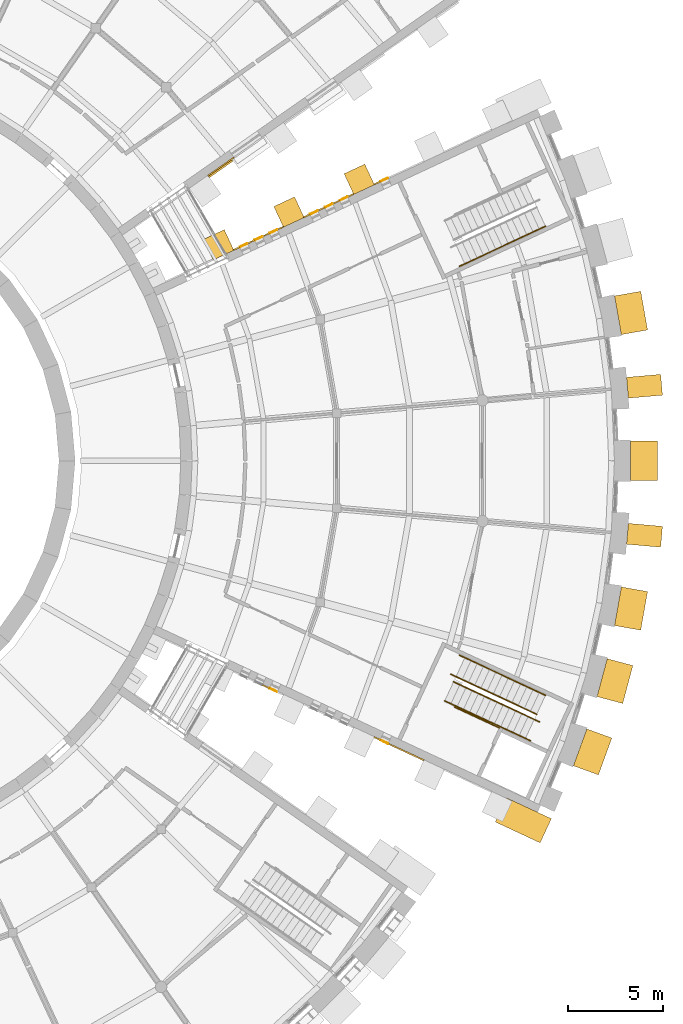
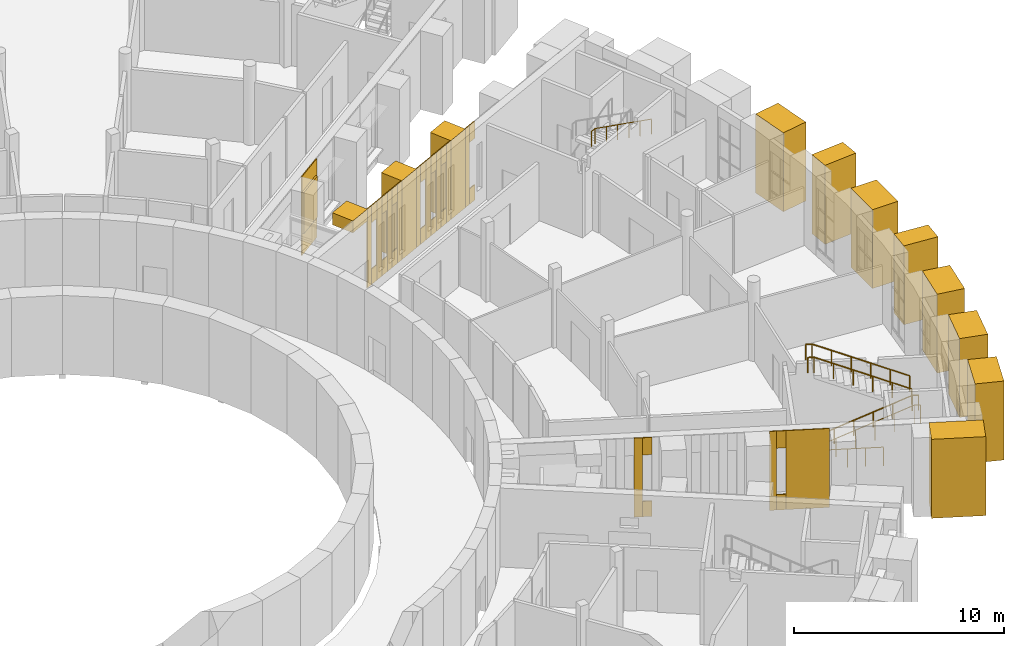
# One storey, part 59 of 66: 43 coverings, 6 railings.
"""IFC4 building model written with IfcOpenShell, lengths in metres."""

from ifc_helpers import new_model, si_unit, direction, frame, origin, origin_2d, place, context, subcontext, project, spatial, polyline, rectangle, circle, outline, extrude, material, layer, layer_set, type_object, element, save


model = new_model("IFC4")

# Units and contexts
model_context = context("Model", 3, precision=1e-05, world=origin(), true_north=direction((0.0, 1.0)))
body_context = subcontext(model_context, "Body", "Model", "MODEL_VIEW")
ifc_project = project(units=[si_unit("LENGTHUNIT", "METRE"), si_unit("AREAUNIT", "SQUARE_METRE"), si_unit("VOLUMEUNIT", "CUBIC_METRE"), si_unit("PLANEANGLEUNIT", "RADIAN"), si_unit("MASSUNIT", "GRAM", prefix="KILO")], contexts=[model_context])

# Site, building, storey
site_placement = place(None, origin())
site = spatial("IfcSite", under=ifc_project, at=site_placement, CompositionType="ELEMENT")
building_placement = place(site_placement, origin())
building = spatial("IfcBuilding", under=site, at=building_placement, Name="Volute Hill Aquarium", CompositionType="ELEMENT")
storey_placement = place(building_placement, frame((0.0, 0.0, 4.60009765625)))
storey = spatial("IfcBuildingStorey", under=building, at=storey_placement, Name="L02", CompositionType="ELEMENT", Elevation=4.60009765625)

# Coverings
ifc_material_1 = material(Name="Aluminium", Category="aluminium")
ifc_layer_1 = layer(ifc_material_1, 0.10009765625)
ifc_layer_set_1 = layer_set([ifc_layer_1], Name="End wall plant louvre panel 100")
covering_type_1 = type_object("IfcCoveringType", Name="End wall plant louvre panel 100", PredefinedType="CLADDING", material=ifc_layer_set_1)
covering_1_placement = place(storey_placement, frame((22.50341796875, 15.3603515625, 1.300048828125), z_axis=(0.0, 0.0, 1.0), x_axis=(0.819153286217, 0.573574662691, 0.0)))
element("IfcCovering", 1, at=covering_1_placement, inside=storey, type_object=covering_type_1, Name="End wall plant louvre EWV S5A L02 2", PredefinedType="CLADDING", context=body_context, shape_type="SweptSolid", body=[
    extrude(rectangle(XDim=1.51611328125, YDim=0.10009765625, at=origin_2d()), origin(), (0.0, 0.0, 1.0), 2.39990234375),
])
ifc_material_2 = material(Name="Precast concrete C40/50", Category="concrete")
covering_type_2 = type_object("IfcCoveringType", Name="End wall precast fin C40/50 1200x1200", PredefinedType="CLADDING", material=ifc_material_2)
covering_2_placement = place(storey_placement, frame((22.39599609375, 11.353759765625, 3.89990234375), z_axis=(0.0, 0.0, 1.0), x_axis=(0.906308670387, 0.422616367385, 0.0)))
element("IfcCovering", 2, at=covering_2_placement, inside=storey, type_object=covering_type_2, Name="End wall fin EWF S4B L02 2", PredefinedType="CLADDING", context=body_context, shape_type="SweptSolid", body=[
    extrude(rectangle(XDim=1.199951171875, YDim=1.199951171875, at=origin_2d()), origin(), (0.0, 0.0, 1.0), 0.699951171875),
])
for number, where, z_axis, x_axis, name in (
    (3, (26.090087890625, 13.076416015625, -0.000244140625), (0.0, 0.0, 1.0), (0.906308670387, 0.422616367385, 0.0), "End wall fin EWF S4B L02 3"),
    (4, (29.7841796875, 14.798828125, -0.000244140625), (0.0, 0.0, 1.0), (0.906308670387, 0.422616367385, 0.0), "End wall fin EWF S4B L02 4"),
):
    element("IfcCovering", number, at=place(storey_placement, frame(where, z_axis=z_axis, x_axis=x_axis)), inside=storey, type_object=covering_type_2, Name=name, PredefinedType="CLADDING", context=body_context, shape_type="SweptSolid", body=[
        extrude(rectangle(XDim=1.199951171875, YDim=1.199951171875, at=origin_2d()), origin(), (0.0, 0.0, 1.0), 4.60009765625),
    ])
ifc_material_3 = material(Name="Precast concrete C40/50", Category="concrete")
ifc_layer_2 = layer(ifc_material_3, 0.050048828125)
ifc_layer_set_2 = layer_set([ifc_layer_2], Name="End wall precast infill panel C40/50 50")
covering_type_3 = type_object("IfcCoveringType", Name="End wall precast infill panel C40/50 50", PredefinedType="CLADDING", material=ifc_layer_set_2)
covering_3_placement = place(storey_placement, frame((24.679443359375, -11.811767578125, 0.0), z_axis=(-0.42220553922, -0.906500128324, 0.0), x_axis=(0.906500128324, -0.42220553922, 0.0)))
element("IfcCovering", 5, at=covering_3_placement, inside=storey, type_object=covering_type_3, Name="End wall panel EWP S4A L02 2", PredefinedType="CLADDING", context=body_context, shape_type="SweptSolid", body=[
    extrude(outline(polyline([(0.0, 0.0), (0.4128709598936065, 0.0), (0.4128709598936065, 4.599853515625), (0.0, 4.599853515625), (0.0, 0.0)])), origin(), (0.0, 0.0, -1.0), 0.050048828125),
])
covering_4_placement = place(storey_placement, frame((25.0537109375, -11.986083984375, 0.0), z_axis=(-0.422736919649, -0.906252446488, 0.0), x_axis=(0.906252446488, -0.422736919649, 0.0)))
element("IfcCovering", 6, at=covering_4_placement, inside=storey, type_object=covering_type_3, Name="End wall panel EWP S4A L02 2", PredefinedType="CLADDING", context=body_context, shape_type="SweptSolid", body=[
    extrude(outline(polyline([(0.0, 0.0), (0.4498910268656508, 0.0), (0.4498910268656508, 0.89990234375), (0.0, 0.89990234375), (0.0, 0.0)])), origin(), (0.0, 0.0, -1.0), 0.050048828125),
])
covering_5_placement = place(storey_placement, frame((25.0537109375, -11.986083984375, 3.599853515625), z_axis=(-0.422736919649, -0.906252446488, 0.0), x_axis=(0.906252446488, -0.422736919649, 0.0)))
element("IfcCovering", 7, at=covering_5_placement, inside=storey, type_object=covering_type_3, Name="End wall panel EWP S4A L02 2", PredefinedType="CLADDING", context=body_context, shape_type="SweptSolid", body=[
    extrude(outline(polyline([(0.0, 0.0), (0.4498910268656508, 0.0), (0.4498910268656508, 1.0), (0.0, 1.0), (0.0, 0.0)])), origin(), (0.0, 0.0, -1.0), 0.050048828125),
])
covering_6_placement = place(storey_placement, frame((30.560546875, -14.553955078125, 0.0), z_axis=(-0.423076239386, -0.906094087646, 0.0), x_axis=(0.906094087646, -0.423076239386, 0.0)))
element("IfcCovering", 8, at=covering_6_placement, inside=storey, type_object=covering_type_3, Name="End wall panel EWP S4A L02 4", PredefinedType="CLADDING", context=body_context, shape_type="SweptSolid", body=[
    extrude(outline(polyline([(0.0, 0.0), (0.3502757791130555, 0.0), (0.3502757791130555, 4.599853515625), (0.0, 4.599853515625), (0.0, 0.0)])), origin(), (0.0, 0.0, -1.0), 0.050048828125),
])
covering_7_placement = place(storey_placement, frame((30.8779296875, -14.7021484375, 0.0), z_axis=(-0.422529111883, -0.90634935296, 0.0), x_axis=(0.90634935296, -0.422529111883, 0.0)))
element("IfcCovering", 9, at=covering_7_placement, inside=storey, type_object=covering_type_3, Name="End wall panel EWP S4A L02 4", PredefinedType="CLADDING", context=body_context, shape_type="SweptSolid", body=[
    extrude(outline(polyline([(0.0, 0.0), (0.4501122917366558, 0.0), (0.4501122917366558, 0.89990234375), (0.0, 0.89990234375), (0.0, 0.0)])), origin(), (0.0, 0.0, -1.0), 0.050048828125),
])
covering_8_placement = place(storey_placement, frame((30.8779296875, -14.7021484375, 3.599853515625), z_axis=(-0.422529111883, -0.90634935296, 0.0), x_axis=(0.90634935296, -0.422529111883, 0.0)))
element("IfcCovering", 10, at=covering_8_placement, inside=storey, type_object=covering_type_3, Name="End wall panel EWP S4A L02 4", PredefinedType="CLADDING", context=body_context, shape_type="SweptSolid", body=[
    extrude(outline(polyline([(0.0, 0.0), (0.4501122917366558, 0.0), (0.4501122917366558, 1.0), (0.0, 1.0), (0.0, 0.0)])), origin(), (0.0, 0.0, -1.0), 0.050048828125),
])
covering_9_placement = place(storey_placement, frame((31.285888671875, -14.892333984375, 0.0), z_axis=(-0.422627874494, -0.906303304474, 0.0), x_axis=(0.906303304474, -0.422627874494, 0.0)))
element("IfcCovering", 11, at=covering_9_placement, inside=storey, type_object=covering_type_3, Name="End wall panel EWP S4A L02 4", PredefinedType="CLADDING", context=body_context, shape_type="SweptSolid", body=[
    extrude(outline(polyline([(0.0, 0.0), (2.0755783481518377, 0.0), (2.0755783481518377, 4.599853515625), (0.0, 4.599853515625), (0.0, 0.0)])), origin(), (0.0, 0.0, -1.0), 0.050048828125),
])
covering_10_placement = place(storey_placement, frame((23.193359375, 11.0634765625, 0.0), z_axis=(0.422503748493, -0.906361176634, 0.0), x_axis=(0.906361176634, 0.422503748493, 0.0)))
element("IfcCovering", 12, at=covering_10_placement, inside=storey, type_object=covering_type_3, Name="End wall panel EWP S4B L02 2", PredefinedType="CLADDING", context=body_context, shape_type="SweptSolid", body=[
    extrude(outline(polyline([(0.0, 0.0), (0.35017255888939314, 0.0), (0.35017255888939314, 4.599853515625), (0.0, 4.599853515625), (0.0, 0.0)])), origin(), (0.0, 0.0, -1.0), 0.050048828125),
])
covering_11_placement = place(storey_placement, frame((23.5107421875, 11.21142578125, 0.0), z_axis=(0.422736919649, -0.906252446488, 0.0), x_axis=(0.906252446488, 0.422736919649, 0.0)))
element("IfcCovering", 13, at=covering_11_placement, inside=storey, type_object=covering_type_3, Name="End wall panel EWP S4B L02 2", PredefinedType="CLADDING", context=body_context, shape_type="SweptSolid", body=[
    extrude(outline(polyline([(0.0, 0.0), (0.4498910268656508, 0.0), (0.4498910268656508, 0.89990234375), (0.0, 0.89990234375), (0.0, 0.0)])), origin(), (0.0, 0.0, -1.0), 0.050048828125),
])
covering_12_placement = place(storey_placement, frame((23.5107421875, 11.21142578125, 3.599853515625), z_axis=(0.422736919649, -0.906252446488, 0.0), x_axis=(0.906252446488, 0.422736919649, 0.0)))
element("IfcCovering", 14, at=covering_12_placement, inside=storey, type_object=covering_type_3, Name="End wall panel EWP S4B L02 2", PredefinedType="CLADDING", context=body_context, shape_type="SweptSolid", body=[
    extrude(outline(polyline([(0.0, 0.0), (0.4498910268656508, 0.0), (0.4498910268656508, 1.0), (0.0, 1.0), (0.0, 0.0)])), origin(), (0.0, 0.0, -1.0), 0.050048828125),
])
covering_13_placement = place(storey_placement, frame((23.91845703125, 11.401611328125, 0.0), z_axis=(0.422691273525, -0.906273737502, 0.0), x_axis=(0.906273737502, 0.422691273525, 0.0)))
element("IfcCovering", 15, at=covering_13_placement, inside=storey, type_object=covering_type_3, Name="End wall panel EWP S4B L02 2", PredefinedType="CLADDING", context=body_context, shape_type="SweptSolid", body=[
    extrude(outline(polyline([(0.0, 0.0), (0.4129740967189735, 0.0), (0.4129740967189735, 4.599853515625), (0.0, 4.599853515625), (0.0, 0.0)])), origin(), (0.0, 0.0, -1.0), 0.050048828125),
])
covering_14_placement = place(storey_placement, frame((24.292724609375, 11.576171875, 0.0), z_axis=(0.422736919649, -0.906252446488, 0.0), x_axis=(0.906252446488, 0.422736919649, 0.0)))
element("IfcCovering", 16, at=covering_14_placement, inside=storey, type_object=covering_type_3, Name="End wall panel EWP S4B L02 2", PredefinedType="CLADDING", context=body_context, shape_type="SweptSolid", body=[
    extrude(outline(polyline([(0.0, 0.0), (0.4498910268656508, 0.0), (0.4498910268656508, 0.89990234375), (0.0, 0.89990234375), (0.0, 0.0)])), origin(), (0.0, 0.0, -1.0), 0.050048828125),
])
covering_15_placement = place(storey_placement, frame((24.292724609375, 11.576171875, 3.599853515625), z_axis=(0.422736919649, -0.906252446488, 0.0), x_axis=(0.906252446488, 0.422736919649, 0.0)))
element("IfcCovering", 17, at=covering_15_placement, inside=storey, type_object=covering_type_3, Name="End wall panel EWP S4B L02 2", PredefinedType="CLADDING", context=body_context, shape_type="SweptSolid", body=[
    extrude(outline(polyline([(0.0, 0.0), (0.4498910268656508, 0.0), (0.4498910268656508, 1.0), (0.0, 1.0), (0.0, 0.0)])), origin(), (0.0, 0.0, -1.0), 0.050048828125),
])
covering_16_placement = place(storey_placement, frame((24.700439453125, 11.766357421875, 0.0), z_axis=(0.42220553922, -0.906500128324, 0.0), x_axis=(0.906500128324, 0.42220553922, 0.0)))
element("IfcCovering", 18, at=covering_16_placement, inside=storey, type_object=covering_type_3, Name="End wall panel EWP S4B L02 2", PredefinedType="CLADDING", context=body_context, shape_type="SweptSolid", body=[
    extrude(outline(polyline([(0.0, 0.0), (0.4128709598936065, 0.0), (0.4128709598936065, 4.599853515625), (0.0, 4.599853515625), (0.0, 0.0)])), origin(), (0.0, 0.0, -1.0), 0.050048828125),
])
covering_17_placement = place(storey_placement, frame((25.07470703125, 11.940673828125, 0.0), z_axis=(0.422736919649, -0.906252446488, 0.0), x_axis=(0.906252446488, 0.422736919649, 0.0)))
element("IfcCovering", 19, at=covering_17_placement, inside=storey, type_object=covering_type_3, Name="End wall panel EWP S4B L02 2", PredefinedType="CLADDING", context=body_context, shape_type="SweptSolid", body=[
    extrude(outline(polyline([(0.0, 0.0), (0.4498910268656508, 0.0), (0.4498910268656508, 0.89990234375), (0.0, 0.89990234375), (0.0, 0.0)])), origin(), (0.0, 0.0, -1.0), 0.050048828125),
])
covering_18_placement = place(storey_placement, frame((25.07470703125, 11.940673828125, 3.599853515625), z_axis=(0.422736919649, -0.906252446488, 0.0), x_axis=(0.906252446488, 0.422736919649, 0.0)))
element("IfcCovering", 20, at=covering_18_placement, inside=storey, type_object=covering_type_3, Name="End wall panel EWP S4B L02 2", PredefinedType="CLADDING", context=body_context, shape_type="SweptSolid", body=[
    extrude(outline(polyline([(0.0, 0.0), (0.4498910268656508, 0.0), (0.4498910268656508, 1.0), (0.0, 1.0), (0.0, 0.0)])), origin(), (0.0, 0.0, -1.0), 0.050048828125),
])
for number, where, z_axis, x_axis, name in (
    (21, (25.482421875, 12.130859375, 0.0), (0.422503748493, -0.906361176634, 0.0), (0.906361176634, 0.422503748493, 0.0), "End wall panel EWP S4B L02 2"),
    (22, (26.887451171875, 12.7861328125, 0.0), (0.422503748493, -0.906361176634, 0.0), (0.906361176634, 0.422503748493, 0.0), "End wall panel EWP S4B L02 3"),
):
    element("IfcCovering", number, at=place(storey_placement, frame(where, z_axis=z_axis, x_axis=x_axis)), inside=storey, type_object=covering_type_3, Name=name, PredefinedType="CLADDING", context=body_context, shape_type="SweptSolid", body=[
        extrude(outline(polyline([(0.0, 0.0), (0.35017255888939314, 0.0), (0.35017255888939314, 4.599853515625), (0.0, 4.599853515625), (0.0, 0.0)])), origin(), (0.0, 0.0, -1.0), 0.050048828125),
    ])
covering_19_placement = place(storey_placement, frame((27.204833984375, 12.93408203125, 0.0), z_axis=(0.422736919649, -0.906252446488, 0.0), x_axis=(0.906252446488, 0.422736919649, 0.0)))
element("IfcCovering", 23, at=covering_19_placement, inside=storey, type_object=covering_type_3, Name="End wall panel EWP S4B L02 3", PredefinedType="CLADDING", context=body_context, shape_type="SweptSolid", body=[
    extrude(outline(polyline([(0.0, 0.0), (0.4498910268656508, 0.0), (0.4498910268656508, 0.89990234375), (0.0, 0.89990234375), (0.0, 0.0)])), origin(), (0.0, 0.0, -1.0), 0.050048828125),
])
covering_20_placement = place(storey_placement, frame((27.204833984375, 12.93408203125, 3.599853515625), z_axis=(0.422736919649, -0.906252446488, 0.0), x_axis=(0.906252446488, 0.422736919649, 0.0)))
element("IfcCovering", 24, at=covering_20_placement, inside=storey, type_object=covering_type_3, Name="End wall panel EWP S4B L02 3", PredefinedType="CLADDING", context=body_context, shape_type="SweptSolid", body=[
    extrude(outline(polyline([(0.0, 0.0), (0.4498910268656508, 0.0), (0.4498910268656508, 1.0), (0.0, 1.0), (0.0, 0.0)])), origin(), (0.0, 0.0, -1.0), 0.050048828125),
])
covering_21_placement = place(storey_placement, frame((27.612548828125, 13.124267578125, 0.0), z_axis=(0.42220553922, -0.906500128324, 0.0), x_axis=(0.906500128324, 0.42220553922, 0.0)))
element("IfcCovering", 25, at=covering_21_placement, inside=storey, type_object=covering_type_3, Name="End wall panel EWP S4B L02 3", PredefinedType="CLADDING", context=body_context, shape_type="SweptSolid", body=[
    extrude(outline(polyline([(0.0, 0.0), (0.4128709598936065, 0.0), (0.4128709598936065, 4.599853515625), (0.0, 4.599853515625), (0.0, 0.0)])), origin(), (0.0, 0.0, -1.0), 0.050048828125),
])
covering_22_placement = place(storey_placement, frame((27.98681640625, 13.298583984375, 0.0), z_axis=(0.422736919649, -0.906252446488, 0.0), x_axis=(0.906252446488, 0.422736919649, 0.0)))
element("IfcCovering", 26, at=covering_22_placement, inside=storey, type_object=covering_type_3, Name="End wall panel EWP S4B L02 3", PredefinedType="CLADDING", context=body_context, shape_type="SweptSolid", body=[
    extrude(outline(polyline([(0.0, 0.0), (0.4498910268656508, 0.0), (0.4498910268656508, 0.89990234375), (0.0, 0.89990234375), (0.0, 0.0)])), origin(), (0.0, 0.0, -1.0), 0.050048828125),
])
covering_23_placement = place(storey_placement, frame((27.98681640625, 13.298583984375, 3.599853515625), z_axis=(0.422736919649, -0.906252446488, 0.0), x_axis=(0.906252446488, 0.422736919649, 0.0)))
element("IfcCovering", 27, at=covering_23_placement, inside=storey, type_object=covering_type_3, Name="End wall panel EWP S4B L02 3", PredefinedType="CLADDING", context=body_context, shape_type="SweptSolid", body=[
    extrude(outline(polyline([(0.0, 0.0), (0.4498910268656508, 0.0), (0.4498910268656508, 1.0), (0.0, 1.0), (0.0, 0.0)])), origin(), (0.0, 0.0, -1.0), 0.050048828125),
])
covering_24_placement = place(storey_placement, frame((28.39453125, 13.48876953125, 0.0), z_axis=(0.422691273525, -0.906273737502, 0.0), x_axis=(0.906273737502, 0.422691273525, 0.0)))
element("IfcCovering", 28, at=covering_24_placement, inside=storey, type_object=covering_type_3, Name="End wall panel EWP S4B L02 3", PredefinedType="CLADDING", context=body_context, shape_type="SweptSolid", body=[
    extrude(outline(polyline([(0.0, 0.0), (0.4129740967189735, 0.0), (0.4129740967189735, 4.599853515625), (0.0, 4.599853515625), (0.0, 0.0)])), origin(), (0.0, 0.0, -1.0), 0.050048828125),
])
covering_25_placement = place(storey_placement, frame((28.768798828125, 13.663330078125, 0.0), z_axis=(0.422736919649, -0.906252446488, 0.0), x_axis=(0.906252446488, 0.422736919649, 0.0)))
element("IfcCovering", 29, at=covering_25_placement, inside=storey, type_object=covering_type_3, Name="End wall panel EWP S4B L02 3", PredefinedType="CLADDING", context=body_context, shape_type="SweptSolid", body=[
    extrude(outline(polyline([(0.0, 0.0), (0.4498910268656508, 0.0), (0.4498910268656508, 0.89990234375), (0.0, 0.89990234375), (0.0, 0.0)])), origin(), (0.0, 0.0, -1.0), 0.050048828125),
])
covering_26_placement = place(storey_placement, frame((28.768798828125, 13.663330078125, 3.599853515625), z_axis=(0.422736919649, -0.906252446488, 0.0), x_axis=(0.906252446488, 0.422736919649, 0.0)))
element("IfcCovering", 30, at=covering_26_placement, inside=storey, type_object=covering_type_3, Name="End wall panel EWP S4B L02 3", PredefinedType="CLADDING", context=body_context, shape_type="SweptSolid", body=[
    extrude(outline(polyline([(0.0, 0.0), (0.4498910268656508, 0.0), (0.4498910268656508, 1.0), (0.0, 1.0), (0.0, 0.0)])), origin(), (0.0, 0.0, -1.0), 0.050048828125),
])
covering_27_placement = place(storey_placement, frame((29.176513671875, 13.853515625, 0.0), z_axis=(0.422503748493, -0.906361176634, 0.0), x_axis=(0.906361176634, 0.422503748493, 0.0)))
element("IfcCovering", 31, at=covering_27_placement, inside=storey, type_object=covering_type_3, Name="End wall panel EWP S4B L02 3", PredefinedType="CLADDING", context=body_context, shape_type="SweptSolid", body=[
    extrude(outline(polyline([(0.0, 0.0), (0.35017255888939314, 0.0), (0.35017255888939314, 4.599853515625), (0.0, 4.599853515625), (0.0, 0.0)])), origin(), (0.0, 0.0, -1.0), 0.050048828125),
])
covering_28_placement = place(storey_placement, frame((30.58154296875, 14.508544921875, 0.0), z_axis=(0.423076239386, -0.906094087646, 0.0), x_axis=(0.906094087646, 0.423076239386, 0.0)))
element("IfcCovering", 32, at=covering_28_placement, inside=storey, type_object=covering_type_3, Name="End wall panel EWP S4B L02 4", PredefinedType="CLADDING", context=body_context, shape_type="SweptSolid", body=[
    extrude(outline(polyline([(0.0, 0.0), (0.3502757791130555, 0.0), (0.3502757791130555, 4.599853515625), (0.0, 4.599853515625), (0.0, 0.0)])), origin(), (0.0, 0.0, -1.0), 0.050048828125),
])
covering_29_placement = place(storey_placement, frame((30.89892578125, 14.65673828125, 0.0), z_axis=(0.422529111883, -0.90634935296, 0.0), x_axis=(0.90634935296, 0.422529111883, 0.0)))
element("IfcCovering", 33, at=covering_29_placement, inside=storey, type_object=covering_type_3, Name="End wall panel EWP S4B L02 4", PredefinedType="CLADDING", context=body_context, shape_type="SweptSolid", body=[
    extrude(outline(polyline([(0.0, 0.0), (0.4501122917366558, 0.0), (0.4501122917366558, 0.89990234375), (0.0, 0.89990234375), (0.0, 0.0)])), origin(), (0.0, 0.0, -1.0), 0.050048828125),
])
covering_30_placement = place(storey_placement, frame((30.89892578125, 14.65673828125, 3.599853515625), z_axis=(0.422529111883, -0.90634935296, 0.0), x_axis=(0.90634935296, 0.422529111883, 0.0)))
element("IfcCovering", 34, at=covering_30_placement, inside=storey, type_object=covering_type_3, Name="End wall panel EWP S4B L02 4", PredefinedType="CLADDING", context=body_context, shape_type="SweptSolid", body=[
    extrude(outline(polyline([(0.0, 0.0), (0.4501122917366558, 0.0), (0.4501122917366558, 1.0), (0.0, 1.0), (0.0, 0.0)])), origin(), (0.0, 0.0, -1.0), 0.050048828125),
])
covering_31_placement = place(storey_placement, frame((21.853759765625, 14.966552734375, 0.0), z_axis=(0.573491845309, -0.819211269066, 0.0), x_axis=(0.819211269066, 0.573491845309, 0.0)))
element("IfcCovering", 35, at=covering_31_placement, inside=storey, type_object=covering_type_3, Name="End wall panel EWP S5A L02 2", PredefinedType="CLADDING", context=body_context, shape_type="SweptSolid", body=[
    extrude(outline(polyline([(0.0, 0.0), (1.6662249238001023, 0.0), (1.6662249238001023, 4.599853515625), (0.0, 4.599853515625), (0.0, 0.0)])), origin(), (0.0, 0.0, -1.0), 0.050048828125),
])

# Railings
ifc_material_4 = material(Name="Stainless steel 1.4301", Category="steel")
railing_type_1 = type_object("IfcRailingType", Name="Guard 1100 stainless", PredefinedType="GUARDRAIL", material=ifc_material_4)
railing_1_placement = place(storey_placement, frame((37.14501953125, -14.0439453125, 0.0)))
element("IfcRailing", 36, at=railing_1_placement, inside=storey, type_object=railing_type_1, Name="gd/S4-A/L02/edge", PredefinedType="GUARDRAIL", context=body_context, shape_type="SweptSolid", body=[
    extrude(circle(Radius=0.02392578125, at=origin_2d()), frame((0.0, 0.0, 1.076171875), z_axis=(-0.906300648467, 0.422633570115, 0.0), x_axis=(-0.422633570115, -0.906300648467, 0.0)), (0.0, 0.0, 1.0), 2.60009765625),
    extrude(circle(Radius=0.02099609375, at=origin_2d()), origin(), (0.0, 0.0, 1.0), 1.052001953125),
    extrude(circle(Radius=0.02099609375, at=origin_2d()), frame((-0.785400390625, 0.3662109375, 0.0)), (0.0, 0.0, 1.0), 1.052001953125),
    extrude(circle(Radius=0.02099609375, at=origin_2d()), frame((-1.571044921875, 0.732666015625, 0.0)), (0.0, 0.0, 1.0), 1.052001953125),
    extrude(circle(Radius=0.02099609375, at=origin_2d()), frame((-2.3564453125, 1.098876953125, 0.0)), (0.0, 0.0, 1.0), 1.052001953125),
])
railing_2_placement = place(storey_placement, frame((34.278564453125, -12.619140625, 0.164306640625)))
element("IfcRailing", 37, at=railing_2_placement, inside=storey, type_object=railing_type_1, Name="gd/S4-A/L02/1", PredefinedType="GUARDRAIL", context=body_context, shape_type="SweptSolid", body=[
    extrude(circle(Radius=0.02392578125, at=origin_2d()), frame((0.0, 0.0, 1.076171875), z_axis=(0.824525705551, -0.384474917439, 0.41513419366), x_axis=(0.42261127948, 0.906311042885, 0.0)), (0.0, 0.0, 1.0), 5.14404296875),
    extrude(circle(Radius=0.02392578125, at=origin_2d()), frame((4.241455078125, -1.977783203125, 3.21142578125), z_axis=(0.906453195831, -0.422306291415, 0.0), x_axis=(0.422306291415, 0.906453195831, 0.0)), (0.0, 0.0, 1.0), 0.300048828125),
    extrude(circle(Radius=0.02099609375, at=origin_2d()), origin(), (0.0, 0.0, 1.0), 1.052001953125),
    extrude(circle(Radius=0.02099609375, at=origin_2d()), frame((0.848388671875, -0.3955078125, 0.427001953125)), (0.0, 0.0, 1.0), 1.052001953125),
    extrude(circle(Radius=0.02099609375, at=origin_2d()), frame((1.696533203125, -0.791015625, 0.854248046875)), (0.0, 0.0, 1.0), 1.052001953125),
    extrude(circle(Radius=0.02099609375, at=origin_2d()), frame((2.544921875, -1.186767578125, 1.28125)), (0.0, 0.0, 1.0), 1.052001953125),
    extrude(circle(Radius=0.02099609375, at=origin_2d()), frame((3.39306640625, -1.582275390625, 1.70849609375)), (0.0, 0.0, 1.0), 1.052001953125),
    extrude(circle(Radius=0.02099609375, at=origin_2d()), frame((4.241455078125, -1.977783203125, 2.135498046875)), (0.0, 0.0, 1.0), 1.052001953125),
    extrude(circle(Radius=0.02099609375, at=origin_2d()), frame((4.513427734375, -2.1044921875, 2.135498046875)), (0.0, 0.0, 1.0), 1.052001953125),
])
ifc_material_5 = material(Name="Stainless steel 1.4301", Category="steel")
railing_type_2 = type_object("IfcRailingType", Name="Handrail 48 stainless", PredefinedType="HANDRAIL", material=ifc_material_5)
railing_3_placement = place(storey_placement, frame((34.743408203125, -11.6220703125, 0.164306640625)))
element("IfcRailing", 38, at=railing_3_placement, inside=storey, type_object=railing_type_2, Name="hr/S4-A/L02/2", PredefinedType="HANDRAIL", context=body_context, shape_type="SweptSolid", body=[
    extrude(circle(Radius=0.02392578125, at=origin_2d()), frame((0.0, 0.0, 0.8759765625), z_axis=(0.824525854443, -0.384500314993, 0.415110374629), x_axis=(0.422634147204, 0.906300379354, 0.0)), (0.0, 0.0, 1.0), 5.14453125),
    extrude(circle(Radius=0.02392578125, at=origin_2d()), frame((4.24169921875, -1.97802734375, 3.01123046875), z_axis=(0.906307919131, -0.422617978463, 0.0), x_axis=(0.422617978463, 0.906307919131, 0.0)), (0.0, 0.0, 1.0), 0.2998046875),
    extrude(circle(Radius=0.02099609375, at=origin_2d()), origin(), (0.0, 0.0, 1.0), 0.851806640625),
    extrude(circle(Radius=0.02099609375, at=origin_2d()), frame((0.848388671875, -0.3955078125, 0.427001953125)), (0.0, 0.0, 1.0), 0.851806640625),
    extrude(circle(Radius=0.02099609375, at=origin_2d()), frame((1.69677734375, -0.791259765625, 0.854248046875)), (0.0, 0.0, 1.0), 0.851806640625),
    extrude(circle(Radius=0.02099609375, at=origin_2d()), frame((2.544921875, -1.186767578125, 1.28125)), (0.0, 0.0, 1.0), 0.851806640625),
    extrude(circle(Radius=0.02099609375, at=origin_2d()), frame((3.393310546875, -1.58251953125, 1.70849609375)), (0.0, 0.0, 1.0), 0.851806640625),
    extrude(circle(Radius=0.02099609375, at=origin_2d()), frame((4.24169921875, -1.97802734375, 2.135498046875)), (0.0, 0.0, 1.0), 0.851806640625),
    extrude(circle(Radius=0.02099609375, at=origin_2d()), frame((4.513427734375, -2.104736328125, 2.135498046875)), (0.0, 0.0, 1.0), 0.851806640625),
])
railing_4_placement = place(storey_placement, frame((39.11181640625, -13.328125, 2.464111328125)))
element("IfcRailing", 39, at=railing_4_placement, inside=storey, type_object=railing_type_2, Name="hr/S4-A/L02/3", PredefinedType="HANDRAIL", context=body_context, shape_type="SweptSolid", body=[
    extrude(circle(Radius=0.02392578125, at=origin_2d()), frame((0.0, 0.0, 0.8759765625), z_axis=(-0.824494415061, 0.384507785116, 0.415165897827), x_axis=(-0.422654128672, -0.906291061148, 0.0)), (0.0, 0.0, 1.0), 5.144287109375),
    extrude(circle(Radius=0.02392578125, at=origin_2d()), frame((-4.241455078125, 1.97802734375, 3.01171875), z_axis=(-0.906453195831, 0.422306291415, 0.0), x_axis=(-0.422306291415, -0.906453195831, 0.0)), (0.0, 0.0, 1.0), 0.300048828125),
    extrude(circle(Radius=0.02099609375, at=origin_2d()), origin(), (0.0, 0.0, 1.0), 0.851806640625),
    extrude(circle(Radius=0.02099609375, at=origin_2d()), frame((-0.848388671875, 0.3955078125, 0.42724609375)), (0.0, 0.0, 1.0), 0.851806640625),
    extrude(circle(Radius=0.02099609375, at=origin_2d()), frame((-1.696533203125, 0.791259765625, 0.854248046875)), (0.0, 0.0, 1.0), 0.851806640625),
    extrude(circle(Radius=0.02099609375, at=origin_2d()), frame((-2.544921875, 1.186767578125, 1.281494140625)), (0.0, 0.0, 1.0), 0.851806640625),
    extrude(circle(Radius=0.02099609375, at=origin_2d()), frame((-3.39306640625, 1.58251953125, 1.70849609375)), (0.0, 0.0, 1.0), 0.851806640625),
    extrude(circle(Radius=0.02099609375, at=origin_2d()), frame((-4.241455078125, 1.97802734375, 2.1357421875)), (0.0, 0.0, 1.0), 0.851806640625),
    extrude(circle(Radius=0.02099609375, at=origin_2d()), frame((-4.513427734375, 2.104736328125, 2.1357421875)), (0.0, 0.0, 1.0), 0.851806640625),
])
railing_5_placement = place(storey_placement, frame((39.57666015625, -12.3310546875, 2.464111328125)))
element("IfcRailing", 40, at=railing_5_placement, inside=storey, type_object=railing_type_2, Name="hr/S4-A/L02/4", PredefinedType="HANDRAIL", context=body_context, shape_type="SweptSolid", body=[
    extrude(circle(Radius=0.02392578125, at=origin_2d()), frame((0.0, 0.0, 0.8759765625), z_axis=(-0.824509460014, 0.384467342173, 0.415173473563), x_axis=(-0.42261127948, -0.906311042885, 0.0)), (0.0, 0.0, 1.0), 5.144287109375),
    extrude(circle(Radius=0.02392578125, at=origin_2d()), frame((-4.241455078125, 1.977783203125, 3.01171875), z_axis=(-0.906453195831, 0.422306291415, 0.0), x_axis=(-0.422306291415, -0.906453195831, 0.0)), (0.0, 0.0, 1.0), 0.300048828125),
    extrude(circle(Radius=0.02099609375, at=origin_2d()), origin(), (0.0, 0.0, 1.0), 0.851806640625),
    extrude(circle(Radius=0.02099609375, at=origin_2d()), frame((-0.848388671875, 0.3955078125, 0.42724609375)), (0.0, 0.0, 1.0), 0.851806640625),
    extrude(circle(Radius=0.02099609375, at=origin_2d()), frame((-1.696533203125, 0.791015625, 0.854248046875)), (0.0, 0.0, 1.0), 0.851806640625),
    extrude(circle(Radius=0.02099609375, at=origin_2d()), frame((-2.544921875, 1.186767578125, 1.281494140625)), (0.0, 0.0, 1.0), 0.851806640625),
    extrude(circle(Radius=0.02099609375, at=origin_2d()), frame((-3.39306640625, 1.582275390625, 1.70849609375)), (0.0, 0.0, 1.0), 0.851806640625),
    extrude(circle(Radius=0.02099609375, at=origin_2d()), frame((-4.241455078125, 1.977783203125, 2.1357421875)), (0.0, 0.0, 1.0), 0.851806640625),
    extrude(circle(Radius=0.02099609375, at=origin_2d()), frame((-4.513427734375, 2.1044921875, 2.1357421875)), (0.0, 0.0, 1.0), 0.851806640625),
])
railing_6_placement = place(storey_placement, frame((39.57666015625, 12.3310546875, 2.464111328125)))
element("IfcRailing", 41, at=railing_6_placement, inside=storey, type_object=railing_type_2, Name="hr/S4-B/L02/4", PredefinedType="HANDRAIL", context=body_context, shape_type="SweptSolid", body=[
    extrude(circle(Radius=0.02392578125, at=origin_2d()), frame((0.0, 0.0, 0.8759765625), z_axis=(-0.824509460014, -0.384467342173, 0.415173473563), x_axis=(0.42261127948, -0.906311042885, 0.0)), (0.0, 0.0, 1.0), 5.144287109375),
    extrude(circle(Radius=0.02392578125, at=origin_2d()), frame((-4.241455078125, -1.977783203125, 3.01171875), z_axis=(-0.906453195831, -0.422306291415, 0.0), x_axis=(0.422306291415, -0.906453195831, 0.0)), (0.0, 0.0, 1.0), 0.300048828125),
    extrude(circle(Radius=0.02099609375, at=origin_2d()), origin(), (0.0, 0.0, 1.0), 0.851806640625),
    extrude(circle(Radius=0.02099609375, at=origin_2d()), frame((-0.848388671875, -0.3955078125, 0.42724609375)), (0.0, 0.0, 1.0), 0.851806640625),
    extrude(circle(Radius=0.02099609375, at=origin_2d()), frame((-1.696533203125, -0.791015625, 0.854248046875)), (0.0, 0.0, 1.0), 0.851806640625),
    extrude(circle(Radius=0.02099609375, at=origin_2d()), frame((-2.544921875, -1.186767578125, 1.281494140625)), (0.0, 0.0, 1.0), 0.851806640625),
    extrude(circle(Radius=0.02099609375, at=origin_2d()), frame((-3.39306640625, -1.582275390625, 1.70849609375)), (0.0, 0.0, 1.0), 0.851806640625),
    extrude(circle(Radius=0.02099609375, at=origin_2d()), frame((-4.241455078125, -1.977783203125, 2.1357421875)), (0.0, 0.0, 1.0), 0.851806640625),
    extrude(circle(Radius=0.02099609375, at=origin_2d()), frame((-4.513427734375, -2.1044921875, 2.1357421875)), (0.0, 0.0, 1.0), 0.851806640625),
])

# Coverings
ifc_material_6 = material(Name="Precast concrete C40/50", Category="concrete")
covering_type_4 = type_object("IfcCoveringType", Name="Projecting pier precast concrete C40/50 1100x1800", PredefinedType="CLADDING", material=ifc_material_6)
for number, where, z_axis, x_axis, name in (
    (42, (44.78125, -3.917724609375, -0.000244140625), (0.0, 0.0, 1.0), (0.087155742748, 0.996194698092, 0.0), "Projecting pier PP S4 L02 4"),
    (43, (44.78125, 3.917724609375, -0.000244140625), (0.0, 0.0, 1.0), (-0.087155742748, 0.996194698092, 0.0), "Projecting pier PP S4 L02 6"),
):
    element("IfcCovering", number, at=place(storey_placement, frame(where, z_axis=z_axis, x_axis=x_axis)), inside=storey, type_object=covering_type_4, Name=name, PredefinedType="CLADDING", context=body_context, shape_type="SweptSolid", body=[
        extrude(rectangle(XDim=1.10009765625, YDim=1.800048828125, at=origin_2d()), origin(), (0.0, 0.0, 1.0), 4.60009765625),
    ])
ifc_material_7 = material(Name="Precast concrete C40/50", Category="concrete")
covering_type_5 = type_object("IfcCoveringType", Name="Projecting pier precast concrete C40/50 2062x1400", PredefinedType="CLADDING", material=ifc_material_7)
for number, where, z_axis, x_axis, name in (
    (44, (42.05322265625, -15.30615234375, -0.000244140625), (0.0, 0.0, 1.0), (0.342020143326, 0.939692620786, 0.0), "Projecting pier PP S4 L02 1"),
    (45, (43.227294921875, -11.582763671875, -0.000244140625), (0.0, 0.0, 1.0), (0.258819045103, 0.965925826289, 0.0), "Projecting pier PP S4 L02 2"),
    (46, (44.072509765625, -7.77099609375, -0.000244140625), (0.0, 0.0, 1.0), (0.173648177667, 0.984807753012, 0.0), "Projecting pier PP S4 L02 3"),
    (47, (44.752197265625, 0.0, -0.000244140625), (0.0, 0.0, 1.0), (0.0, 1.0, 0.0), "Projecting pier PP S4 L02 5"),
    (48, (44.072509765625, 7.77099609375, -0.000244140625), (0.0, 0.0, 1.0), (-0.173648177667, 0.984807753012, 0.0), "Projecting pier PP S4 L02 7"),
):
    element("IfcCovering", number, at=place(storey_placement, frame(where, z_axis=z_axis, x_axis=x_axis)), inside=storey, type_object=covering_type_5, Name=name, PredefinedType="CLADDING", context=body_context, shape_type="SweptSolid", body=[
        extrude(rectangle(XDim=2.06201171875, YDim=1.39990234375, at=origin_2d()), origin(), (0.0, 0.0, 1.0), 4.60009765625),
    ])
ifc_material_8 = material(Name="Precast concrete C40/50", Category="concrete")
covering_type_6 = type_object("IfcCoveringType", Name="Step pylon precast concrete C40/50 1400x2600", PredefinedType="CLADDING", material=ifc_material_8)
covering_32_placement = place(storey_placement, frame((38.40966796875, -18.90380859375, -0.000244140625), z_axis=(0.0, 0.0, 1.0), x_axis=(0.906307787037, -0.422618261741, 0.0)))
element("IfcCovering", 49, at=covering_32_placement, inside=storey, type_object=covering_type_6, Name="Step pylon SPY S4A L02", PredefinedType="CLADDING", context=body_context, shape_type="SweptSolid", body=[
    extrude(rectangle(XDim=2.60009765625, YDim=1.39990234375, at=origin_2d()), origin(), (0.0, 0.0, 1.0), 4.60009765625),
])

save(model, "model.ifc")
